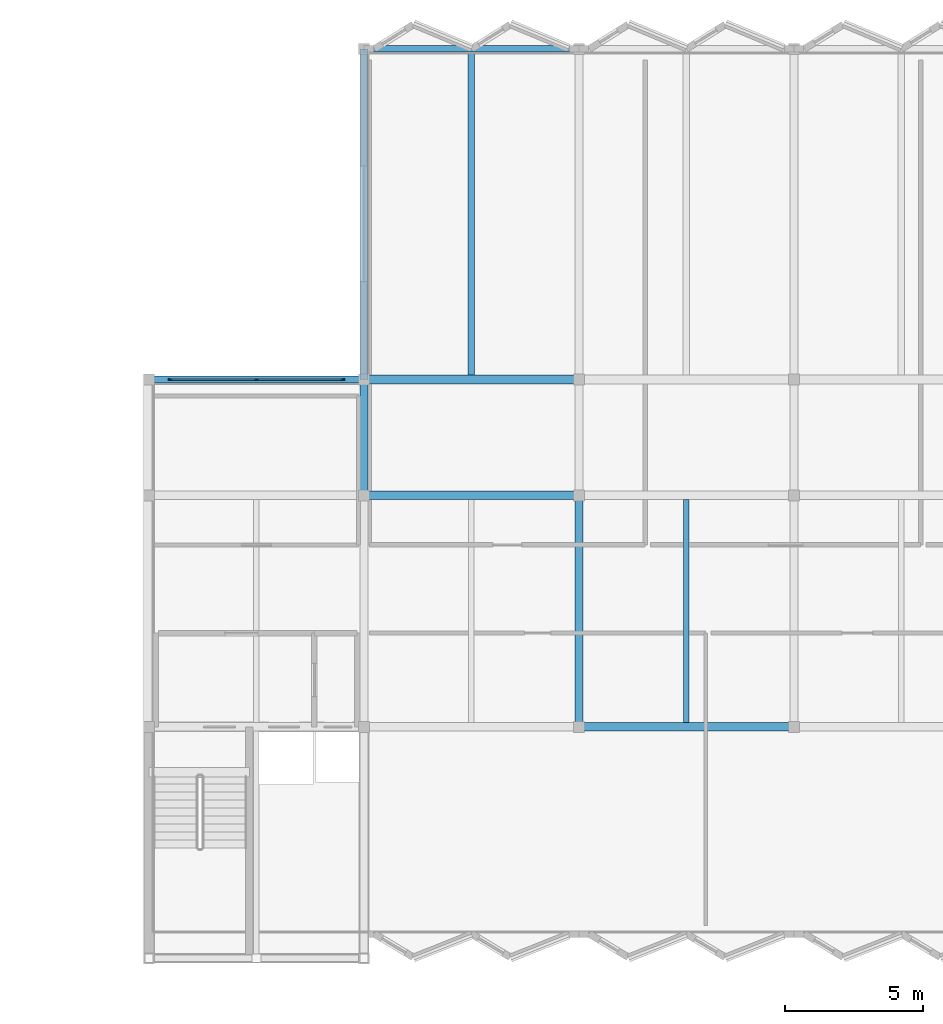
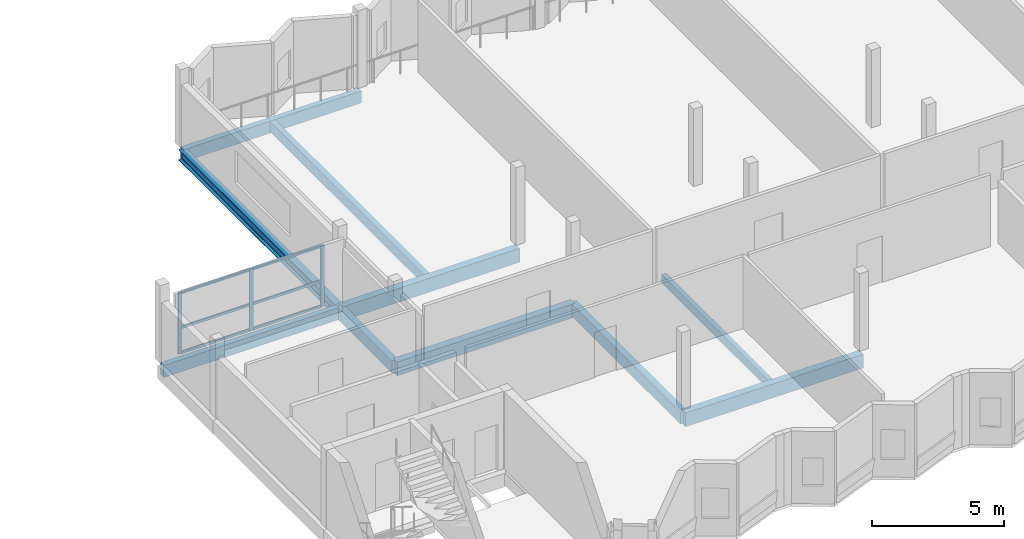
# One storey, part 3 of 15: 10 beams, 9 members, 1 element without a shape of its own.
"""IFC4 building model written with IfcOpenShell, lengths in metres."""

from ifc_helpers import new_model, si_unit, direction, frame, origin, origin_2d, place, context, subcontext, project, spatial, rectangle, i_section, extrude, material, material_profile, profile_set, type_object, element, aggregate, save


model = new_model("IFC4")

# Units and contexts
model_context = context("Model", 3, precision=1e-05, world=origin(), true_north=direction((0.0, 1.0)))
body_context = subcontext(model_context, "Body", "Model", "MODEL_VIEW")
ifc_project = project(units=[si_unit("LENGTHUNIT", "METRE"), si_unit("AREAUNIT", "SQUARE_METRE"), si_unit("VOLUMEUNIT", "CUBIC_METRE"), si_unit("PLANEANGLEUNIT", "RADIAN"), si_unit("MASSUNIT", "GRAM", prefix="KILO")], contexts=[model_context])

# Site, building, storey
site_placement = place(None, origin())
site = spatial("IfcSite", under=ifc_project, at=site_placement, CompositionType="ELEMENT")
building_placement = place(site_placement, origin())
building = spatial("IfcBuilding", under=site, at=building_placement, Name="Vharandega Faculty of Natural Sciences", CompositionType="ELEMENT")
storey_placement = place(building_placement, frame((0.0, 0.0, 32.39990234375)))
storey = spatial("IfcBuildingStorey", under=building, at=storey_placement, Name="L08", CompositionType="ELEMENT", Elevation=32.39990234375)

# Curtain wall, members
ifc_material_1 = material(Name="Aluminium and solar-control glass curtain wall", Category="aluminium")
curtain_wall_type = type_object("IfcCurtainWallType", Name="Unitised Curtain Wall System CW-02", PredefinedType="NOTDEFINED", material=ifc_material_1)
curtain_wall_placement = place(storey_placement, origin())
curtain_wall = element("IfcCurtainWall", 1, at=curtain_wall_placement, inside=storey, type_object=curtain_wall_type, Name="Curtain Wall CW-L08-029", PredefinedType="NOTDEFINED")
ifc_material_2 = material(Name="Thermally broken aluminium 6063-T6", Category="aluminium")
ifc_material_profile_1 = material_profile(ifc_material_2, rectangle(XDim=0.06005859375, YDim=0.159912109375, at=origin_2d()), Name="ALU 60x160")
ifc_profile_set_1 = profile_set([ifc_material_profile_1], Name="Thermally broken aluminium 6063-T6")
member_type_1 = type_object("IfcMemberType", Name="CW Mullion 60x160", PredefinedType="MULLION", material=ifc_profile_set_1)
member_1_placement = place(storey_placement, frame((115.570068359375, 85.0, 0.0), z_axis=(0.0, 0.0, 1.0), x_axis=(0.0, 1.0, 0.0)))
member_1 = element("IfcMember", 2, at=member_1_placement, type_object=member_type_1, Name="CW-02 mullion 1", PredefinedType="MULLION", context=body_context, shape_type="SweptSolid", body=[
    extrude(rectangle(XDim=0.06005859375, YDim=0.159912109375, at=origin_2d()), origin(), (0.0, 0.0, 1.0), 2.840087890625),
])
member_2_placement = place(storey_placement, frame((118.699951171875, 85.0, 0.0), z_axis=(0.0, 0.0, 1.0), x_axis=(0.0, 1.0, 0.0)))
member_2 = element("IfcMember", 3, at=member_2_placement, type_object=member_type_1, Name="CW-02 mullion 2", PredefinedType="MULLION", context=body_context, shape_type="SweptSolid", body=[
    extrude(rectangle(XDim=0.06005859375, YDim=0.159912109375, at=origin_2d()), origin(), (0.0, 0.0, 1.0), 2.840087890625),
])
member_3_placement = place(storey_placement, frame((121.830078125, 85.0, 0.0), z_axis=(0.0, 0.0, 1.0), x_axis=(0.0, 1.0, 0.0)))
member_3 = element("IfcMember", 4, at=member_3_placement, type_object=member_type_1, Name="CW-02 mullion 3", PredefinedType="MULLION", context=body_context, shape_type="SweptSolid", body=[
    extrude(rectangle(XDim=0.06005859375, YDim=0.159912109375, at=origin_2d()), origin(), (0.0, 0.0, 1.0), 2.840087890625),
])
ifc_material_3 = material(Name="Thermally broken aluminium 6063-T6", Category="aluminium")
ifc_material_profile_2 = material_profile(ifc_material_3, rectangle(XDim=0.06005859375, YDim=0.1201171875, at=origin_2d()), Name="ALU 60x120")
ifc_profile_set_2 = profile_set([ifc_material_profile_2], Name="Thermally broken aluminium 6063-T6")
member_type_2 = type_object("IfcMemberType", Name="CW Transom 60x120", PredefinedType="USERDEFINED", material=ifc_profile_set_2)
member_4_placement = place(storey_placement, frame((115.60009765625, 85.0, 0.030029296875), z_axis=(1.0, 0.0, 0.0), x_axis=(0.0, 1.0, 0.0)))
member_4 = element("IfcMember", 5, at=member_4_placement, type_object=member_type_2, Name="CW-02 transom 1.1", ObjectType="TRANSOM", PredefinedType="USERDEFINED", context=body_context, shape_type="SweptSolid", body=[
    extrude(rectangle(XDim=0.06005859375, YDim=0.1201171875, at=origin_2d()), origin(), (0.0, 0.0, 1.0), 3.06982421875),
])
member_5_placement = place(storey_placement, frame((115.60009765625, 85.0, 1.19287109375), z_axis=(1.0, 0.0, 0.0), x_axis=(0.0, 1.0, 0.0)))
member_5 = element("IfcMember", 6, at=member_5_placement, type_object=member_type_2, Name="CW-02 transom 1.2", ObjectType="TRANSOM", PredefinedType="USERDEFINED", context=body_context, shape_type="SweptSolid", body=[
    extrude(rectangle(XDim=0.06005859375, YDim=0.1201171875, at=origin_2d()), origin(), (0.0, 0.0, 1.0), 3.06982421875),
])
member_6_placement = place(storey_placement, frame((115.60009765625, 85.0, 2.81005859375), z_axis=(1.0, 0.0, 0.0), x_axis=(0.0, 1.0, 0.0)))
member_6 = element("IfcMember", 7, at=member_6_placement, type_object=member_type_2, Name="CW-02 transom 1.3", ObjectType="TRANSOM", PredefinedType="USERDEFINED", context=body_context, shape_type="SweptSolid", body=[
    extrude(rectangle(XDim=0.06005859375, YDim=0.1201171875, at=origin_2d()), origin(), (0.0, 0.0, 1.0), 3.06982421875),
])
member_7_placement = place(storey_placement, frame((118.72998046875, 85.0, 0.030029296875), z_axis=(1.0, 0.0, 0.0), x_axis=(0.0, 1.0, 0.0)))
member_7 = element("IfcMember", 8, at=member_7_placement, type_object=member_type_2, Name="CW-02 transom 2.1", ObjectType="TRANSOM", PredefinedType="USERDEFINED", context=body_context, shape_type="SweptSolid", body=[
    extrude(rectangle(XDim=0.06005859375, YDim=0.1201171875, at=origin_2d()), origin(), (0.0, 0.0, 1.0), 3.070068359375),
])
member_8_placement = place(storey_placement, frame((118.72998046875, 85.0, 1.19287109375), z_axis=(1.0, 0.0, 0.0), x_axis=(0.0, 1.0, 0.0)))
member_8 = element("IfcMember", 9, at=member_8_placement, type_object=member_type_2, Name="CW-02 transom 2.2", ObjectType="TRANSOM", PredefinedType="USERDEFINED", context=body_context, shape_type="SweptSolid", body=[
    extrude(rectangle(XDim=0.06005859375, YDim=0.1201171875, at=origin_2d()), origin(), (0.0, 0.0, 1.0), 3.070068359375),
])
member_9_placement = place(storey_placement, frame((118.72998046875, 85.0, 2.81005859375), z_axis=(1.0, 0.0, 0.0), x_axis=(0.0, 1.0, 0.0)))
member_9 = element("IfcMember", 10, at=member_9_placement, type_object=member_type_2, Name="CW-02 transom 2.3", ObjectType="TRANSOM", PredefinedType="USERDEFINED", context=body_context, shape_type="SweptSolid", body=[
    extrude(rectangle(XDim=0.06005859375, YDim=0.1201171875, at=origin_2d()), origin(), (0.0, 0.0, 1.0), 3.070068359375),
])
aggregate(curtain_wall, [member_1, member_2, member_3, member_4, member_5, member_6, member_7, member_8, member_9])

# Beams
ifc_material_4 = material(Name="Glulam GL28h", Category="wood")
ifc_material_profile_3 = material_profile(ifc_material_4, rectangle(XDim=0.280029296875, YDim=0.56005859375, at=origin_2d()), Name="GL28h 280x560")
ifc_profile_set_3 = profile_set([ifc_material_profile_3], Name="Glulam GL28h")
beam_type_1 = type_object("IfcBeamType", Name="Glulam Floor Beam 280x560", PredefinedType="BEAM", material=ifc_profile_set_3)
beam_1_placement = place(storey_placement, frame((122.60009765625, 80.800048828125, -0.5), z_axis=(0.0, 1.0, 0.0), x_axis=(-1.0, 0.0, 0.0)))
element("IfcBeam", 11, at=beam_1_placement, inside=storey, type_object=beam_type_1, Name="Beam L08 16/L-M", PredefinedType="BEAM", context=body_context, shape_type="SweptSolid", body=[
    extrude(rectangle(XDim=0.280029296875, YDim=0.56005859375, at=origin_2d()), origin(), (0.0, 0.0, 1.0), 4.199951171875),
])
beam_2_placement = place(storey_placement, frame((130.39990234375, 72.39990234375, -0.5), z_axis=(0.0, 1.0, 0.0), x_axis=(-1.0, 0.0, 0.0)))
element("IfcBeam", 12, at=beam_2_placement, inside=storey, type_object=beam_type_1, Name="Beam L08 17/K-L", PredefinedType="BEAM", context=body_context, shape_type="SweptSolid", body=[
    extrude(rectangle(XDim=0.280029296875, YDim=0.56005859375, at=origin_2d()), origin(), (0.0, 0.0, 1.0), 8.400146484375),
])
ifc_material_5 = material(Name="Glulam GL28h", Category="wood")
ifc_material_profile_4 = material_profile(ifc_material_5, rectangle(XDim=0.320068359375, YDim=0.639892578125, at=origin_2d()), Name="GL28h 320x640")
ifc_profile_set_4 = profile_set([ifc_material_profile_4], Name="Glulam GL28h")
beam_type_2 = type_object("IfcBeamType", Name="Glulam Floor Beam 320x640", PredefinedType="BEAM", material=ifc_profile_set_4)
beam_3_placement = place(storey_placement, frame((130.39990234375, 72.39990234375, -0.539794921875), z_axis=(1.0, 0.0, 0.0), x_axis=(0.0, 1.0, 0.0)))
element("IfcBeam", 13, at=beam_3_placement, inside=storey, type_object=beam_type_2, Name="Beam L08 K/17-18", PredefinedType="BEAM", context=body_context, shape_type="SweptSolid", body=[
    extrude(rectangle(XDim=0.320068359375, YDim=0.639892578125, at=origin_2d()), origin(), (0.0, 0.0, 1.0), 7.800048828125),
])
for number, where, z_axis, x_axis, name in (
    (14, (122.60009765625, 80.800048828125, -0.539794921875), (1.0, 0.0, 0.0), (0.0, 1.0, 0.0), "Beam L08 L/16-17"),
    (15, (122.60009765625, 85.0, -0.539794921875), (1.0, 0.0, 0.0), (0.0, 1.0, 0.0), "Beam L08 M/16-17"),
):
    element("IfcBeam", number, at=place(storey_placement, frame(where, z_axis=z_axis, x_axis=x_axis)), inside=storey, type_object=beam_type_2, Name=name, PredefinedType="BEAM", context=body_context, shape_type="SweptSolid", body=[
        extrude(rectangle(XDim=0.320068359375, YDim=0.639892578125, at=origin_2d()), origin(), (0.0, 0.0, 1.0), 7.7998046875),
    ])
ifc_material_6 = material(Name="Glulam GL28h", Category="wood")
ifc_material_profile_5 = material_profile(ifc_material_6, rectangle(XDim=0.199951171875, YDim=0.39990234375, at=origin_2d()), Name="GL28h 200x400")
ifc_profile_set_5 = profile_set([ifc_material_profile_5], Name="Glulam GL28h")
beam_type_3 = type_object("IfcBeamType", Name="Glulam Secondary Joist 200x400", PredefinedType="JOIST", material=ifc_profile_set_5)
beam_4_placement = place(storey_placement, frame((134.300048828125, 72.56005859375, -0.419921875), z_axis=(0.0, 1.0, 0.0), x_axis=(-1.0, 0.0, 0.0)))
element("IfcBeam", 16, at=beam_4_placement, inside=storey, type_object=beam_type_3, Name="Secondary Joist L08 17-18/K-L", PredefinedType="JOIST", context=body_context, shape_type="SweptSolid", body=[
    extrude(rectangle(XDim=0.199951171875, YDim=0.39990234375, at=origin_2d()), origin(), (0.0, 0.0, 1.0), 8.079833984375),
])
ifc_material_7 = material(Name="Glulam GL28h", Category="wood")
ifc_material_profile_6 = material_profile(ifc_material_7, rectangle(XDim=0.239990234375, YDim=0.47998046875, at=origin_2d()), Name="GL28h 240x480")
ifc_profile_set_6 = profile_set([ifc_material_profile_6], Name="Glulam GL28h")
beam_type_4 = type_object("IfcBeamType", Name="Glulam Secondary Joist 240x480", PredefinedType="JOIST", material=ifc_profile_set_6)
beam_5_placement = place(storey_placement, frame((126.5, 85.159912109375, -0.4599609375), z_axis=(0.0, 1.0, 0.0), x_axis=(-1.0, 0.0, 0.0)))
element("IfcBeam", 17, at=beam_5_placement, inside=storey, type_object=beam_type_4, Name="Secondary Joist L08 16-17/M-N", PredefinedType="JOIST", context=body_context, shape_type="SweptSolid", body=[
    extrude(rectangle(XDim=0.239990234375, YDim=0.47998046875, at=origin_2d()), origin(), (0.0, 0.0, 1.0), 11.719970703125),
])
ifc_material_8 = material(Name="Glulam GL28h", Category="wood")
ifc_material_profile_7 = material_profile(ifc_material_8, rectangle(XDim=0.239990234375, YDim=0.56005859375, at=origin_2d()), Name="GL28h 240x560")
ifc_profile_set_7 = profile_set([ifc_material_profile_7], Name="Glulam GL28h")
beam_type_5 = type_object("IfcBeamType", Name="Glulam Spandrel Edge Beam 240x560", PredefinedType="SPANDREL", material=ifc_profile_set_7)
beam_6_placement = place(storey_placement, frame((114.800048828125, 85.0, -0.5), z_axis=(1.0, 0.0, 0.0), x_axis=(0.0, 1.0, 0.0)))
element("IfcBeam", 18, at=beam_6_placement, inside=storey, type_object=beam_type_5, Name="Beam L08 M/15-16", PredefinedType="SPANDREL", context=body_context, shape_type="SweptSolid", body=[
    extrude(rectangle(XDim=0.239990234375, YDim=0.56005859375, at=origin_2d()), origin(), (0.0, 0.0, 1.0), 7.800048828125),
])
beam_7_placement = place(storey_placement, frame((122.60009765625, 97.0, -0.5), z_axis=(1.0, 0.0, 0.0), x_axis=(0.0, 1.0, 0.0)))
element("IfcBeam", 19, at=beam_7_placement, inside=storey, type_object=beam_type_5, Name="Beam L08 N/16-17", PredefinedType="SPANDREL", context=body_context, shape_type="SweptSolid", body=[
    extrude(rectangle(XDim=0.239990234375, YDim=0.56005859375, at=origin_2d()), origin(), (0.0, 0.0, 1.0), 7.7998046875),
])
ifc_material_9 = material(Name="Steel S355", Category="steel")
ifc_material_profile_8 = material_profile(ifc_material_9, i_section(OverallWidth=0.300048828125, OverallDepth=0.5, WebThickness=0.014404296875, FlangeThickness=0.028076171875, FilletRadius=0.027099609375, at=origin_2d()), Name="HEB 500")
ifc_profile_set_8 = profile_set([ifc_material_profile_8], Name="Steel S355")
beam_type_6 = type_object("IfcBeamType", Name="Steel Collector Beam HEB 500", PredefinedType="BEAM", material=ifc_profile_set_8)
beam_8_placement = place(storey_placement, frame((122.60009765625, 85.0, -0.469970703125), z_axis=(0.0, 1.0, 0.0), x_axis=(-1.0, 0.0, 0.0)))
element("IfcBeam", 20, at=beam_8_placement, inside=storey, type_object=beam_type_6, Name="Beam L08 16/M-N", PredefinedType="BEAM", context=body_context, shape_type="SweptSolid", body=[
    extrude(i_section(OverallWidth=0.300048828125, OverallDepth=0.5, WebThickness=0.014404296875, FlangeThickness=0.028076171875, FilletRadius=0.027099609375, at=origin_2d()), origin(), (0.0, 0.0, 1.0), 12.0),
])

save(model, "model.ifc")
